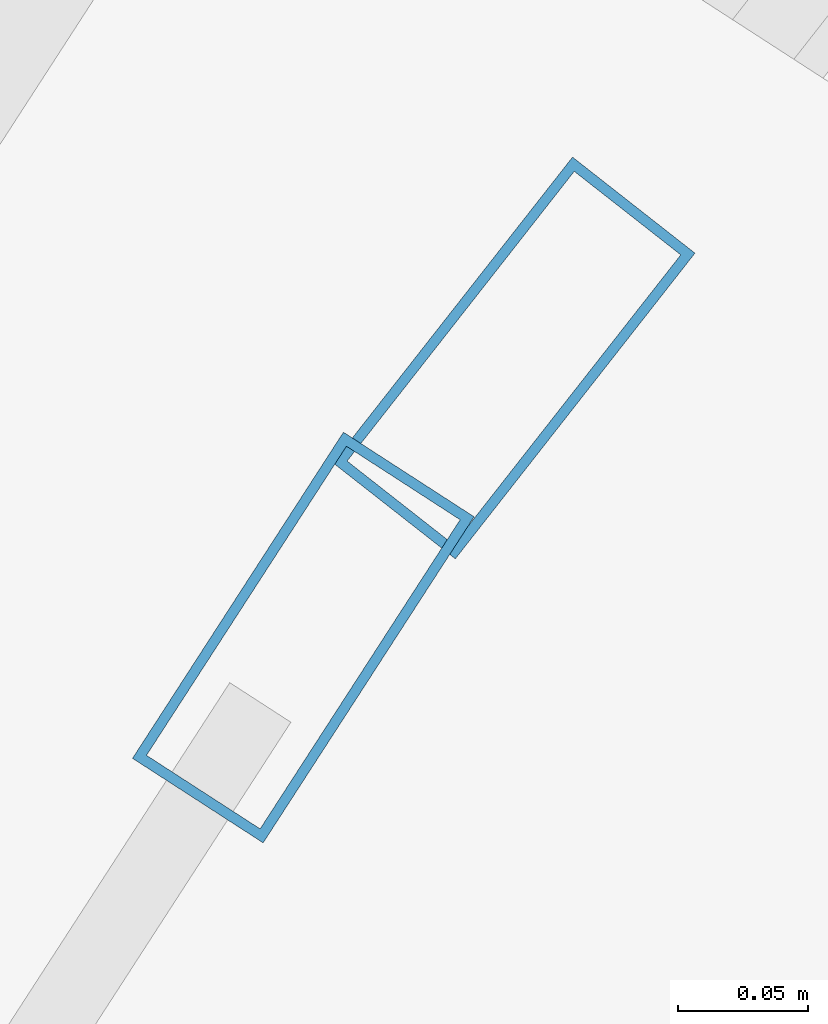
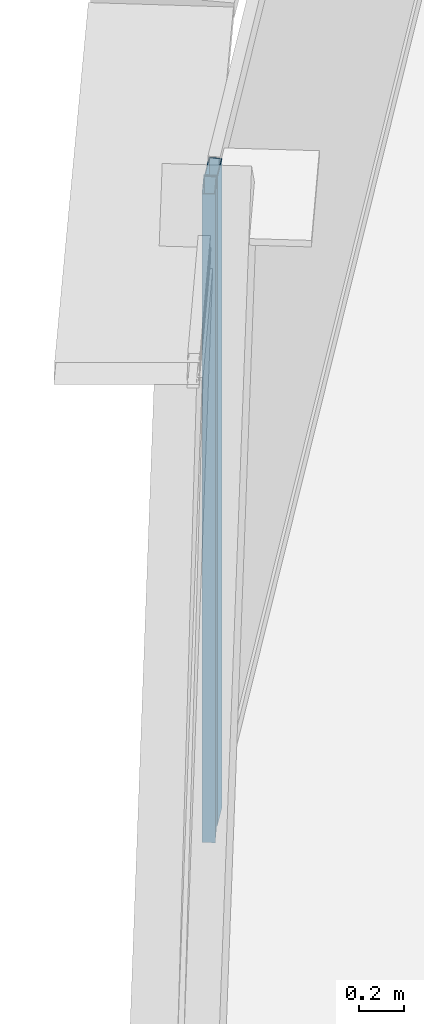
# One storey, part 18 of 40: 2 members, 2 elements without a shape of their own.
"""IFC4 building model written with IfcOpenShell, lengths in metres."""

import ifcopenshell
import ifcopenshell.guid

model = None  # the IFC model being written
_history = None  # IfcOwnerHistory: only IFC2X3 demands one
_inside = {}  # id of a spatial element -> (the spatial element, [elements in it])
_under = {}  # id of a project, library or spatial element -> (it, [spatial elements below it])
_declared = {}  # id of a project -> (the project, [libraries it declares])
_typed = {}  # id of a type object -> (the type object, [elements of that type])
_made_of = {}  # id of a material, layer set ... -> (it, [elements and type objects made of it])


def new_model(schema):
    """Start an empty IFC model of exactly this schema.

    Asked for "IFC4X3", IfcOpenShell would pick the latest addendum, in which some entities
    have other attributes; the version numbers below select the first issue.
    IFC2X3 requires an IfcOwnerHistory on every rooted entity: one is made here for all.
    """
    global model, _history
    if schema == "IFC4X3":
        model = ifcopenshell.file(schema_version=(4, 3, 0, 0))
    else:
        model = ifcopenshell.file(schema=schema)
    _inside.clear()
    _under.clear()
    _declared.clear()
    _typed.clear()
    _made_of.clear()
    _history = None
    if model.schema == "IFC2X3":
        org = make("IfcOrganization", Name="unknown")
        user = make(
            "IfcPersonAndOrganization",
            ThePerson=make("IfcPerson", FamilyName="unknown"),
            TheOrganization=org,
        )
        app = make(
            "IfcApplication",
            ApplicationDeveloper=org,
            Version="unknown",
            ApplicationFullName="unknown",
            ApplicationIdentifier="unknown",
        )
        _history = make(
            "IfcOwnerHistory",
            OwningUser=user,
            OwningApplication=app,
            ChangeAction="ADDED",
            CreationDate=0,
        )
    return model


def make(cls, **values):
    """One entity of the class cls with the attributes given. An attribute that is None is left unset."""
    return model.create_entity(
        cls, **{name: value for name, value in values.items() if value is not None}
    )


def rooted(cls, **values):
    """An entity with a GlobalId (a new one), such as an element, a storey or a relation."""
    return make(cls, GlobalId=ifcopenshell.guid.new(), OwnerHistory=_history, **values)


def si_unit(unit_type, name, prefix=None):
    """IfcSIUnit, for example si_unit("LENGTHUNIT", "METRE", prefix="MILLI")."""
    return make("IfcSIUnit", UnitType=unit_type, Prefix=prefix, Name=name)


def assignment(units):
    """IfcUnitAssignment: the units of a project."""
    return None if units is None else make("IfcUnitAssignment", Units=units)


def point(xyz):
    """IfcCartesianPoint."""
    return None if xyz is None else make("IfcCartesianPoint", Coordinates=xyz)


def direction(xyz):
    """IfcDirection."""
    return None if xyz is None else make("IfcDirection", DirectionRatios=xyz)


def frame(location, z_axis=None, x_axis=None):
    """IfcAxis2Placement3D, a coordinate frame: its origin and axes. An axis left out is left unset."""
    return make(
        "IfcAxis2Placement3D",
        Location=point(location),
        Axis=direction(z_axis),
        RefDirection=direction(x_axis),
    )


def frame_2d(location, x_axis=None):
    """IfcAxis2Placement2D, a coordinate frame in the plane: its origin and x axis."""
    return make(
        "IfcAxis2Placement2D", Location=point(location), RefDirection=direction(x_axis)
    )


def origin():
    """The frame at (0, 0, 0) with its axes left unset."""
    return frame((0.0, 0.0, 0.0))


def origin_2d():
    """The frame at (0, 0) in the plane with its x axis left unset."""
    return frame_2d((0.0, 0.0))


def place(relative_to, where):
    """IfcLocalPlacement: puts the frame where relative to a parent placement (None: the world)."""
    return make(
        "IfcLocalPlacement", PlacementRelTo=relative_to, RelativePlacement=where
    )


def context(
    kind, dimensions, precision=None, world=None, true_north=None, identifier=None
):
    """IfcGeometricRepresentationContext, for example the 3D "Model" context."""
    return make(
        "IfcGeometricRepresentationContext",
        ContextIdentifier=identifier,
        ContextType=kind,
        CoordinateSpaceDimension=dimensions,
        Precision=precision,
        WorldCoordinateSystem=world,
        TrueNorth=true_north,
    )


def subcontext(parent, identifier, kind, view, scale=None):
    """IfcGeometricRepresentationSubContext, for example "Body" below "Model"."""
    return make(
        "IfcGeometricRepresentationSubContext",
        ContextIdentifier=identifier,
        ContextType=kind,
        ParentContext=parent,
        TargetScale=scale,
        TargetView=view,
    )


def project(units=None, contexts=None):
    """IfcProject with its units and contexts."""
    return rooted(
        "IfcProject",
        Name="project",
        RepresentationContexts=contexts,
        UnitsInContext=assignment(units),
    )


def spatial(cls, under=None, at=None, **own):
    """A site, building, storey or space (cls), placed at a placement, below another one or the project."""
    s = rooted(cls, ObjectPlacement=at, **own)
    if under is not None:
        _under.setdefault(under.id(), (under, []))[1].append(s)
    return s


def profile(cls, at=None, kind="AREA", **sizes):
    """A parametric profile (cls). Its sizes go by their IFC names, for example OverallWidth=200.0."""
    return make(cls, ProfileType=kind, Position=at, **sizes)


def hollow_rectangle(**sizes):
    """IfcRectangleHollowProfileDef."""
    return profile("IfcRectangleHollowProfileDef", **sizes)


def extrude(swept, where, along, depth):
    """IfcExtrudedAreaSolid: the profile swept, set in the frame where, extruded along a direction by depth."""
    return make(
        "IfcExtrudedAreaSolid",
        SweptArea=swept,
        Position=where,
        ExtrudedDirection=direction(along),
        Depth=depth,
    )


def shape(context_of_items, identifier, shape_type, items):
    """IfcShapeRepresentation: the items that make up one representation, for example the "Body"."""
    return make(
        "IfcShapeRepresentation",
        ContextOfItems=context_of_items,
        RepresentationIdentifier=identifier,
        RepresentationType=shape_type,
        Items=items,
    )


def source(mapping_origin, context_of_items, identifier, shape_type, items):
    """IfcRepresentationMap: a shape defined once, which mapped items show again and again."""
    return make(
        "IfcRepresentationMap",
        MappingOrigin=mapping_origin,
        MappedRepresentation=shape(context_of_items, identifier, shape_type, items),
    )


def transform(
    local_origin,
    x_axis=None,
    y_axis=None,
    z_axis=None,
    scale=None,
    scale2=None,
    scale3=None,
    uniform=True,
):
    """IfcCartesianTransformationOperator3D, or its non-uniform kind. x_axis, y_axis, z_axis: its Axis1, 2, 3."""
    if uniform:
        return make(
            "IfcCartesianTransformationOperator3D",
            Axis1=direction(x_axis),
            Axis2=direction(y_axis),
            LocalOrigin=point(local_origin),
            Scale=scale,
            Axis3=direction(z_axis),
        )
    return make(
        "IfcCartesianTransformationOperator3DnonUniform",
        Axis1=direction(x_axis),
        Axis2=direction(y_axis),
        LocalOrigin=point(local_origin),
        Scale=scale,
        Axis3=direction(z_axis),
        Scale2=scale2,
        Scale3=scale3,
    )


def mapped(mapping_source, mapping_target):
    """IfcMappedItem: shows the shape of a source again, moved by a transform."""
    return make(
        "IfcMappedItem", MappingSource=mapping_source, MappingTarget=mapping_target
    )


def material(Name=None, Category=None):
    """IfcMaterial."""
    return make("IfcMaterial", Name=Name, Category=Category)


def layer(
    of_material, thickness, ventilated=None, Name=None, Category=None, Priority=None
):
    """IfcMaterialLayer: one layer of a wall or slab, of a material (None: an air gap)."""
    return make(
        "IfcMaterialLayer",
        Material=of_material,
        LayerThickness=thickness,
        IsVentilated=ventilated,
        Name=Name,
        Category=Category,
        Priority=Priority,
    )


def layer_set(layers, Name=None):
    """IfcMaterialLayerSet."""
    return make("IfcMaterialLayerSet", MaterialLayers=layers, LayerSetName=Name)


def material_profile(
    of_material, cross_section, Name=None, Category=None, Priority=None
):
    """IfcMaterialProfile: a cross section and its material."""
    return make(
        "IfcMaterialProfile",
        Name=Name,
        Material=of_material,
        Profile=cross_section,
        Priority=Priority,
        Category=Category,
    )


def profile_set(profiles, Name=None, composite=None):
    """IfcMaterialProfileSet."""
    return make(
        "IfcMaterialProfileSet",
        Name=Name,
        MaterialProfiles=profiles,
        CompositeProfile=composite,
    )


def made_of(thing, what):
    """Note that an element or type object is made of a material, layer set ...; save() writes the relation."""
    if what is not None:
        _made_of.setdefault(what.id(), (what, []))[1].append(thing)
    return thing


def type_object(cls, material=None, **own):
    """A type object (cls), such as IfcWallType, which elements share."""
    return made_of(rooted(cls, **own), material)


def element(
    cls,
    number,
    at=None,
    inside=None,
    cuts=None,
    type_object=None,
    material=None,
    context=None,
    identifier="Body",
    shape_type=None,
    held_by="IfcProductDefinitionShape",
    body=None,
    shapes=None,
    **own,
):
    """One element of the class cls, such as IfcWall. Its Tag is "e" and its number.

    at: its placement. inside: the storey or other place that contains it. cuts: it is an
    opening in that element (IfcRelVoidsElement). A single representation is given by context,
    identifier, shape_type and body (its items); several are given by shapes. held_by: the class
    of the entity that holds the representations. save() writes the other relations.
    """
    e = rooted(cls, Tag="e%d" % number, ObjectPlacement=at, **own)
    if body is not None:
        shapes = [shape(context, identifier, shape_type, body)]
    if shapes is not None:
        e.Representation = make(held_by, Representations=shapes)
    if inside is not None:
        _inside.setdefault(inside.id(), (inside, []))[1].append(e)
    if cuts is not None:
        rooted(
            "IfcRelVoidsElement", RelatingBuildingElement=cuts, RelatedOpeningElement=e
        )
    if type_object is not None:
        _typed.setdefault(type_object.id(), (type_object, []))[1].append(e)
    return made_of(e, material)


def aggregate(whole, parts):
    """IfcRelAggregates: a whole, such as a stair, and the parts it consists of."""
    return rooted("IfcRelAggregates", RelatingObject=whole, RelatedObjects=parts)


def save(model, path):
    """Write the relations noted so far, then the file.

    IfcRelAggregates (storeys below a building ...), IfcRelContainedInSpatialStructure (elements
    in a storey), IfcRelDefinesByType, IfcRelAssociatesMaterial and IfcRelDeclares: one each for
    every whole, place, type object, material and project.
    """
    for whole, parts in _under.values():
        aggregate(whole, parts)
    for where, things in _inside.values():
        rooted(
            "IfcRelContainedInSpatialStructure",
            RelatedElements=things,
            RelatingStructure=where,
        )
    for kind, things in _typed.values():
        rooted("IfcRelDefinesByType", RelatedObjects=things, RelatingType=kind)
    for what, things in _made_of.values():
        rooted("IfcRelAssociatesMaterial", RelatedObjects=things, RelatingMaterial=what)
    for by, libraries in _declared.values():
        rooted("IfcRelDeclares", RelatingContext=by, RelatedDefinitions=libraries)
    model.write(path)


model = new_model("IFC4")

# Units and contexts
model_context = context("Model", 3, precision=1e-05, world=origin(), true_north=direction((0.0, 1.0)))
body_context = subcontext(model_context, "Body", "Model", "MODEL_VIEW")
ifc_project = project(units=[si_unit("LENGTHUNIT", "METRE"), si_unit("AREAUNIT", "SQUARE_METRE"), si_unit("VOLUMEUNIT", "CUBIC_METRE"), si_unit("PLANEANGLEUNIT", "RADIAN"), si_unit("MASSUNIT", "GRAM", prefix="KILO"), si_unit("THERMODYNAMICTEMPERATUREUNIT", "KELVIN"), si_unit("POWERUNIT", "WATT")], contexts=[model_context])

# Site, building, storey
site_placement = place(None, origin())
site = spatial("IfcSite", under=ifc_project, at=site_placement, CompositionType="ELEMENT")
building_placement = place(site_placement, origin())
building = spatial("IfcBuilding", under=site, at=building_placement, Name="Yunzhuo Pagoda Commons", CompositionType="ELEMENT")
storey_placement = place(building_placement, frame((0.0, 0.0, 188.56005859375)))
storey = spatial("IfcBuildingStorey", under=building, at=storey_placement, Name="L47", CompositionType="ELEMENT", Elevation=188.56005859375)

# Curtain wall, member
ifc_material = material(Name="Anodized aluminium 6063-T6", Category="aluminium")
ifc_layer = layer(ifc_material, 0.14990234375)
ifc_layer_set = layer_set([ifc_layer], Name="Anodized aluminium 6063-T6")
curtain_wall_type = type_object("IfcCurtainWallType", Name="CW-MID Mid-Zone Ribbon Curtain Wall", PredefinedType="NOTDEFINED", material=ifc_layer_set)
curtain_wall_1_placement = place(storey_placement, origin())
curtain_wall_1 = element("IfcCurtainWall", 1, at=curtain_wall_1_placement, inside=storey, type_object=curtain_wall_type, Name="L47 curtain wall CW-L47-F3B2", PredefinedType="NOTDEFINED")
ifc_material_profile = material_profile(ifc_material, hollow_rectangle(XDim=0.06005859375, YDim=0.14990234375, WallThickness=0.00390625, at=origin_2d()), Name="Anodized aluminium 6063-T6")
ifc_profile_set = profile_set([ifc_material_profile], Name="Anodized aluminium 6063-T6")
member_type = type_object("IfcMemberType", Name="CW-MID-M Mullion RHS 150x60x4", PredefinedType="MULLION", material=ifc_profile_set)
shared_shape = source(origin(), body_context, "Body", "SweptSolid", [
    extrude(hollow_rectangle(XDim=0.06005859375, YDim=0.14990234375, WallThickness=0.00390625, at=origin_2d()), origin(), (0.0, 0.0, 1.0), 3.5400390625),
])
member_1_placement = place(storey_placement, frame((32.284423828125, 68.93603515625, 0.0), z_axis=(0.0, 0.0, 1.0), x_axis=(0.839626850374, -0.543163651335, 0.0)))
member_1 = element("IfcMember", 2, at=member_1_placement, type_object=member_type, Name="CW mullion 1", PredefinedType="MULLION", context=body_context, shape_type="MappedRepresentation", body=[
    mapped(shared_shape, transform((0.0, 0.0, 0.0), scale=1.0)),
])
aggregate(curtain_wall_1, [member_1])

curtain_wall_2_placement = place(storey_placement, origin())
curtain_wall_2 = element("IfcCurtainWall", 3, at=curtain_wall_2_placement, inside=storey, type_object=curtain_wall_type, Name="L47 curtain wall CW-L47-F3B1", PredefinedType="NOTDEFINED")
member_2_placement = place(storey_placement, frame((32.36572265625, 69.0439453125, 0.0), z_axis=(0.0, 0.0, 1.0), x_axis=(0.786950244655, -0.617016460427, 0.0)))
member_2 = element("IfcMember", 4, at=member_2_placement, type_object=member_type, Name="CW mullion 2", PredefinedType="MULLION", context=body_context, shape_type="MappedRepresentation", body=[
    mapped(shared_shape, transform((0.0, 0.0, 0.0), scale=1.0)),
])
aggregate(curtain_wall_2, [member_2])

save(model, "model.ifc")
